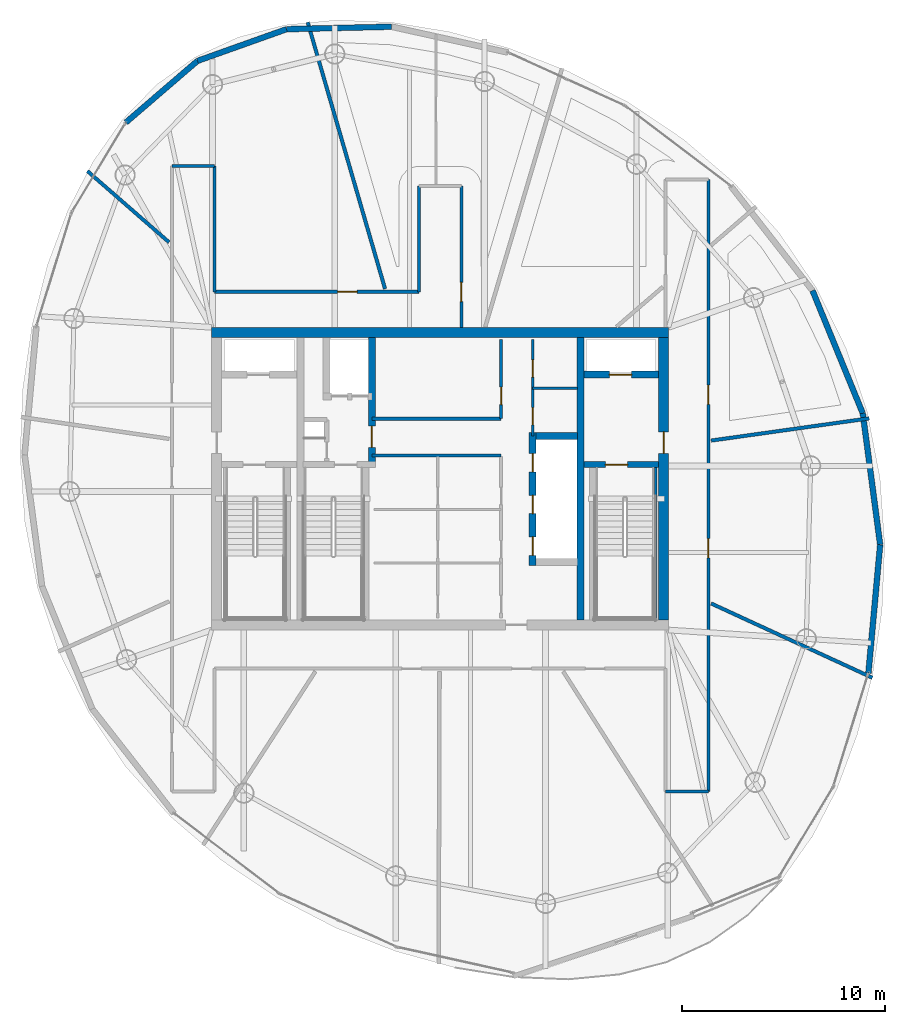
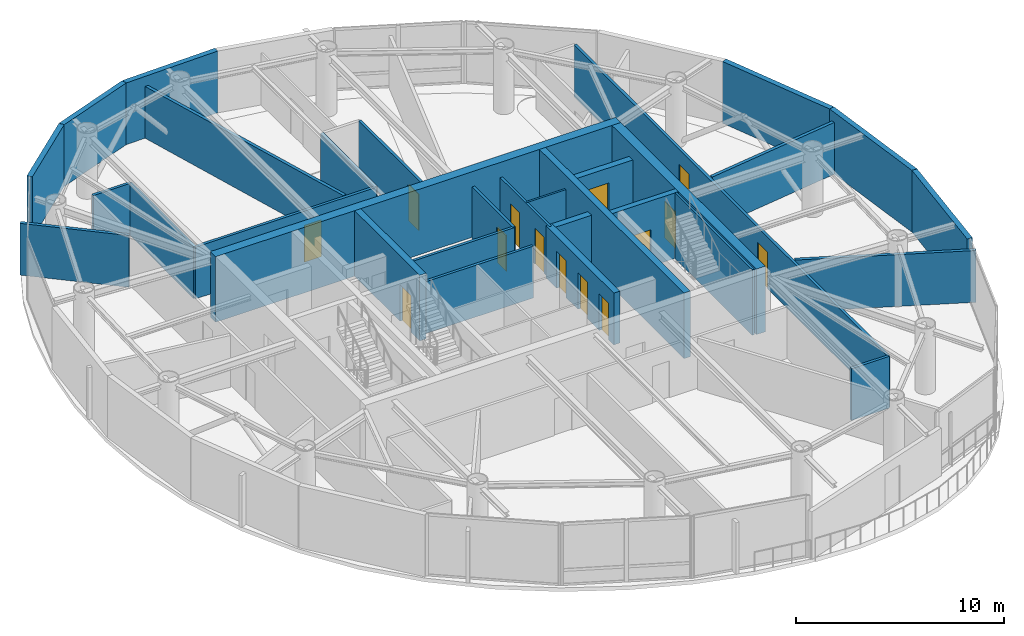
# One storey, part 15 of 19: 31 walls, 14 doors, 14 openings.
"""IFC4 building model written with IfcOpenShell, lengths in metres."""

from ifc_helpers import new_model, si_unit, direction, frame, frame_2d, origin, place, context, subcontext, project, spatial, rectangle, extrude, material, layer, layer_set, type_object, element, fill, save


model = new_model("IFC4")

# Units and contexts
model_context = context("Model", 3, precision=1e-05, world=origin(), true_north=direction((0.0, 1.0)))
body_context = subcontext(model_context, "Body", "Model", "MODEL_VIEW")
ifc_project = project(units=[si_unit("LENGTHUNIT", "METRE"), si_unit("AREAUNIT", "SQUARE_METRE"), si_unit("VOLUMEUNIT", "CUBIC_METRE"), si_unit("PLANEANGLEUNIT", "RADIAN"), si_unit("MASSUNIT", "GRAM", prefix="KILO")], contexts=[model_context])

# Site, building, storey
site_placement = place(None, origin())
site = spatial("IfcSite", under=ifc_project, at=site_placement, CompositionType="ELEMENT")
building_placement = place(site_placement, origin())
building = spatial("IfcBuilding", under=site, at=building_placement, Name="Bramvorn Convention Spire", CompositionType="ELEMENT")
storey_placement = place(building_placement, frame((0.0, 0.0, 272.85009765625)))
storey = spatial("IfcBuildingStorey", under=building, at=storey_placement, Name="L69", CompositionType="ELEMENT", Elevation=272.85009765625)

# Wall
ifc_material_1 = material(Name="Concrete C50/60", Category="concrete")
ifc_layer_1 = layer(ifc_material_1, 0.5)
ifc_layer_set_1 = layer_set([ifc_layer_1], Name="Concrete C50/60 - WL-CORE-500")
wall_type_1 = type_object("IfcWallType", Name="WL-CORE-500", PredefinedType="SHEAR", material=ifc_layer_set_1)
wall_1_placement = place(storey_placement, frame((26.75, 33.199951171875, 0.0), z_axis=(0.0, 0.0, 1.0), x_axis=(1.0, 0.0, 0.0)))
element("IfcWall", 1, at=wall_1_placement, inside=storey, type_object=wall_type_1, Name="L69 North RC core shear wall", PredefinedType="SHEAR", context=body_context, shape_type="SweptSolid", body=[
    extrude(rectangle(XDim=22.5, YDim=0.5, at=frame_2d((11.25, 0.0))), origin(), (0.0, 0.0, 1.0), 3.849853515625),
])

# Wall, opening, door
wall_2_placement = place(storey_placement, frame((49.0, 19.050048828125, 0.0), z_axis=(0.0, 0.0, 1.0), x_axis=(0.0, 1.0, 0.0)))
wall_2 = element("IfcWall", 2, at=wall_2_placement, inside=storey, type_object=wall_type_1, Name="L69 East RC core shear wall", PredefinedType="SHEAR", context=body_context, shape_type="SweptSolid", body=[
    extrude(rectangle(XDim=13.89990234375, YDim=0.5, at=frame_2d((6.949951171875, 0.0))), origin(), (0.0, 0.0, 1.0), 3.849853515625),
])
opening_1_placement = place(wall_2_placement, frame((8.199951171875, 0.0, 0.0)))
opening_1 = element("IfcOpeningElement", 3, at=opening_1_placement, cuts=wall_2, Name="Opening DL-105", PredefinedType="OPENING", context=body_context, shape_type="SweptSolid", body=[
    extrude(rectangle(XDim=1.050048828125, YDim=2.14990234375, at=frame_2d((0.52490234375, 1.074951171875))), frame((0.0, 0.260009765625, 0.0), z_axis=(0.0, -1.0, 0.0), x_axis=(1.0, 0.0, 0.0)), (0.0, 0.0, 1.0), 0.52001953125),
])
ifc_material_2 = material(Name="Smoke-Sealed Fire Lobby Timber-Core Door", Category="wood")
door_type_1 = type_object("IfcDoorType", Name="DR-LOBBY-1050", OperationType="NOTDEFINED", PredefinedType="DOOR", material=ifc_material_2)
door_1_placement = place(opening_1_placement, origin())
door_1 = element("IfcDoor", 4, at=door_1_placement, inside=storey, type_object=door_type_1, Name="L69 East Firefighting Lobby corridor door", OperationType="SINGLE_SWING_LEFT", OverallHeight=2.14990234375, OverallWidth=1.050048828125, PredefinedType="DOOR", context=body_context, shape_type="SweptSolid", body=[
    extrude(rectangle(XDim=1.050048828125, YDim=2.14990234375, at=frame_2d((0.52490234375, 1.074951171875))), frame((0.0, 0.02490234375, 0.0), z_axis=(0.0, -1.0, 0.0), x_axis=(1.0, 0.0, 0.0)), (0.0, 0.0, 1.0), 0.050048828125),
])
fill(opening_1, door_1)

# Wall
ifc_layer_2 = layer(ifc_material_1, 0.35009765625)
ifc_layer_set_2 = layer_set([ifc_layer_2], Name="Concrete C50/60 - WL-CORE-INT-350")
wall_type_2 = type_object("IfcWallType", Name="WL-CORE-INT-350", PredefinedType="SHEAR", material=ifc_layer_set_2)
wall_3_placement = place(storey_placement, frame((44.89990234375, 19.050048828125, 0.0), z_axis=(0.0, 0.0, 1.0), x_axis=(0.0, 1.0, 0.0)))
element("IfcWall", 5, at=wall_3_placement, inside=storey, type_object=wall_type_2, Name="L69 East internal core shear web", PredefinedType="SHEAR", context=body_context, shape_type="SweptSolid", body=[
    extrude(rectangle(XDim=13.89990234375, YDim=0.35009765625, at=frame_2d((6.949951171875, 0.0))), origin(), (0.0, 0.0, 1.0), 3.849853515625),
])

# Wall, opening, door
wall_4_placement = place(storey_placement, frame((45.080078125, 31.1201171875, 0.0), z_axis=(0.0, 0.0, 1.0), x_axis=(1.0, 0.0, 0.0)))
wall_4 = element("IfcWall", 6, at=wall_4_placement, inside=storey, type_object=wall_type_2, Name="L69 FE2 shaft front wall", PredefinedType="SHEAR", context=body_context, shape_type="SweptSolid", body=[
    extrude(rectangle(XDim=3.669921875, YDim=0.35009765625, at=frame_2d((1.8349609375, 0.0))), origin(), (0.0, 0.0, 1.0), 3.039794921875),
])
opening_2_placement = place(wall_4_placement, frame((1.25, 0.0, 0.0)))
opening_2 = element("IfcOpeningElement", 7, at=opening_2_placement, cuts=wall_4, Name="Opening LD-110", PredefinedType="OPENING", context=body_context, shape_type="SweptSolid", body=[
    extrude(rectangle(XDim=1.10009765625, YDim=2.14990234375, at=frame_2d((0.550048828125, 1.074951171875))), frame((0.0, 0.18505859375, 0.0), z_axis=(0.0, -1.0, 0.0), x_axis=(1.0, 0.0, 0.0)), (0.0, 0.0, 1.0), 0.3701171875),
])
ifc_material_3 = material(Name="Firefighting & Service Lift Sliding Landing Door", Category="steel")
door_type_2 = type_object("IfcDoorType", Name="DR-LIFT-LD-1100", OperationType="NOTDEFINED", PredefinedType="DOOR", material=ifc_material_3)
door_2_placement = place(opening_2_placement, origin())
door_2 = element("IfcDoor", 8, at=door_2_placement, inside=storey, type_object=door_type_2, Name="L69 Lift FE2 Sliding Landing Door", OperationType="SLIDING_TO_LEFT", OverallHeight=2.14990234375, OverallWidth=1.10009765625, PredefinedType="DOOR", context=body_context, shape_type="SweptSolid", body=[
    extrude(rectangle(XDim=1.10009765625, YDim=2.14990234375, at=frame_2d((0.550048828125, 1.074951171875))), frame((0.0, 0.02490234375, 0.0), z_axis=(0.0, -1.0, 0.0), x_axis=(1.0, 0.0, 0.0)), (0.0, 0.0, 1.0), 0.050048828125),
])
fill(opening_2, door_2)

wall_5_placement = place(storey_placement, frame((34.639892578125, 26.68994140625, 0.0), z_axis=(0.0, 0.0, 1.0), x_axis=(0.0, 1.0, 0.0)))
wall_5 = element("IfcWall", 9, at=wall_5_placement, inside=storey, type_object=wall_type_2, Name="L69 SV east core shaft wall", PredefinedType="SHEAR", context=body_context, shape_type="SweptSolid", body=[
    extrude(rectangle(XDim=6.260009765625, YDim=0.35009765625, at=frame_2d((3.1298828125, 0.0))), origin(), (0.0, 0.0, 1.0), 3.849853515625),
])
opening_3_placement = place(wall_5_placement, frame((0.85009765625, 0.0, 0.0)))
opening_3 = element("IfcOpeningElement", 10, at=opening_3_placement, cuts=wall_5, Name="Opening DL-105", PredefinedType="OPENING", context=body_context, shape_type="SweptSolid", body=[
    extrude(rectangle(XDim=1.050048828125, YDim=2.14990234375, at=frame_2d((0.52490234375, 1.074951171875))), frame((0.0, 0.18505859375, 0.0), z_axis=(0.0, -1.0, 0.0), x_axis=(1.0, 0.0, 0.0)), (0.0, 0.0, 1.0), 0.3701171875),
])
door_3_placement = place(opening_3_placement, origin())
door_3 = element("IfcDoor", 11, at=door_3_placement, inside=storey, type_object=door_type_1, Name="L69 Core cross-passage door", OperationType="SINGLE_SWING_RIGHT", OverallHeight=2.14990234375, OverallWidth=1.050048828125, PredefinedType="DOOR", context=body_context, shape_type="SweptSolid", body=[
    extrude(rectangle(XDim=1.050048828125, YDim=2.14990234375, at=frame_2d((0.52490234375, 1.074951171875))), frame((0.0, 0.02490234375, 0.0), z_axis=(0.0, -1.0, 0.0), x_axis=(1.0, 0.0, 0.0)), (0.0, 0.0, 1.0), 0.050048828125),
])
fill(opening_3, door_3)

# Wall, openings, doors
wall_6_placement = place(storey_placement, frame((42.550048828125, 21.72998046875, 0.0), z_axis=(0.0, 0.0, 1.0), x_axis=(0.0, 1.0, 0.0)))
wall_6 = element("IfcWall", 12, at=wall_6_placement, inside=storey, type_object=wall_type_2, Name="L69 High-rise lift bank west wall", PredefinedType="SHEAR", context=body_context, shape_type="SweptSolid", body=[
    extrude(rectangle(XDim=6.5400390625, YDim=0.35009765625, at=frame_2d((3.27001953125, 0.0))), origin(), (0.0, 0.0, 1.0), 3.039794921875),
])
opening_4_placement = place(wall_6_placement, frame((0.5, 0.0, 0.0)))
opening_4 = element("IfcOpeningElement", 13, at=opening_4_placement, cuts=wall_6, Name="Opening LD-090", PredefinedType="OPENING", context=body_context, shape_type="SweptSolid", body=[
    extrude(rectangle(XDim=0.89990234375, YDim=2.14990234375, at=frame_2d((0.449951171875, 1.074951171875))), frame((0.0, 0.18505859375, 0.0), z_axis=(0.0, -1.0, 0.0), x_axis=(1.0, 0.0, 0.0)), (0.0, 0.0, 1.0), 0.3701171875),
])
opening_5_placement = place(wall_6_placement, frame((2.550048828125, 0.0, 0.0)))
opening_5 = element("IfcOpeningElement", 14, at=opening_5_placement, cuts=wall_6, Name="Opening LD-090", PredefinedType="OPENING", context=body_context, shape_type="SweptSolid", body=[
    extrude(rectangle(XDim=0.89990234375, YDim=2.14990234375, at=frame_2d((0.449951171875, 1.074951171875))), frame((0.0, 0.18505859375, 0.0), z_axis=(0.0, -1.0, 0.0), x_axis=(1.0, 0.0, 0.0)), (0.0, 0.0, 1.0), 0.3701171875),
])
opening_6_placement = place(wall_6_placement, frame((4.60009765625, 0.0, 0.0)))
opening_6 = element("IfcOpeningElement", 15, at=opening_6_placement, cuts=wall_6, Name="Opening LD-090", PredefinedType="OPENING", context=body_context, shape_type="SweptSolid", body=[
    extrude(rectangle(XDim=0.89990234375, YDim=2.14990234375, at=frame_2d((0.449951171875, 1.074951171875))), frame((0.0, 0.18505859375, 0.0), z_axis=(0.0, -1.0, 0.0), x_axis=(1.0, 0.0, 0.0)), (0.0, 0.0, 1.0), 0.3701171875),
])
ifc_material_4 = material(Name="Bi-Parting Fire-Rated Lift Landing Door", Category="steel")
door_type_3 = type_object("IfcDoorType", Name="DR-LIFT-LD-900", OperationType="NOTDEFINED", PredefinedType="DOOR", material=ifc_material_4)
door_4_placement = place(opening_4_placement, origin())
door_4 = element("IfcDoor", 16, at=door_4_placement, inside=storey, type_object=door_type_3, Name="L69 Lift PH1 Sliding Landing Door", OperationType="SLIDING_TO_LEFT", OverallHeight=2.14990234375, OverallWidth=0.89990234375, PredefinedType="DOOR", context=body_context, shape_type="SweptSolid", body=[
    extrude(rectangle(XDim=0.89990234375, YDim=2.14990234375, at=frame_2d((0.449951171875, 1.074951171875))), frame((0.0, 0.02490234375, 0.0), z_axis=(0.0, -1.0, 0.0), x_axis=(1.0, 0.0, 0.0)), (0.0, 0.0, 1.0), 0.050048828125),
])
fill(opening_4, door_4)
door_5_placement = place(opening_5_placement, origin())
door_5 = element("IfcDoor", 17, at=door_5_placement, inside=storey, type_object=door_type_3, Name="L69 Lift PH2 Sliding Landing Door", OperationType="SLIDING_TO_LEFT", OverallHeight=2.14990234375, OverallWidth=0.89990234375, PredefinedType="DOOR", context=body_context, shape_type="SweptSolid", body=[
    extrude(rectangle(XDim=0.89990234375, YDim=2.14990234375, at=frame_2d((0.449951171875, 1.074951171875))), frame((0.0, 0.02490234375, 0.0), z_axis=(0.0, -1.0, 0.0), x_axis=(1.0, 0.0, 0.0)), (0.0, 0.0, 1.0), 0.050048828125),
])
fill(opening_5, door_5)
door_6_placement = place(opening_6_placement, origin())
door_6 = element("IfcDoor", 18, at=door_6_placement, inside=storey, type_object=door_type_3, Name="L69 Lift PH3 Sliding Landing Door", OperationType="SLIDING_TO_LEFT", OverallHeight=2.14990234375, OverallWidth=0.89990234375, PredefinedType="DOOR", context=body_context, shape_type="SweptSolid", body=[
    extrude(rectangle(XDim=0.89990234375, YDim=2.14990234375, at=frame_2d((0.449951171875, 1.074951171875))), frame((0.0, 0.02490234375, 0.0), z_axis=(0.0, -1.0, 0.0), x_axis=(1.0, 0.0, 0.0)), (0.0, 0.0, 1.0), 0.050048828125),
])
fill(opening_6, door_6)

# Walls
wall_7_placement = place(storey_placement, frame((42.719970703125, 28.10009765625, 0.0), z_axis=(0.0, 0.0, 1.0), x_axis=(1.0, 0.0, 0.0)))
element("IfcWall", 19, at=wall_7_placement, inside=storey, type_object=wall_type_2, Name="L69 High-rise lift bank north wall", PredefinedType="SHEAR", context=body_context, shape_type="SweptSolid", body=[
    extrude(rectangle(XDim=2.030029296875, YDim=0.35009765625, at=frame_2d((1.01513671875, 0.0))), origin(), (0.0, 0.0, 1.0), 3.039794921875),
])
ifc_material_5 = material(Name="Precast Concrete C40/50 with Bronze Terracotta Rainscreen", Category="masonry")
ifc_layer_3 = layer(ifc_material_5, 0.300048828125)
ifc_layer_set_3 = layer_set([ifc_layer_3], Name="Precast Concrete C40/50 with Bronze Terracotta Rainscreen - WL-EXT-BRONZE-300")
wall_type_3 = type_object("IfcWallType", Name="WL-EXT-BRONZE-300", PredefinedType="SOLIDWALL", material=ifc_layer_set_3)
wall_8_placement = place(storey_placement, frame((59.657958984375, 22.748046875, 0.0), z_axis=(0.0, 0.0, 1.0), x_axis=(-0.091149768789, -0.995837195354, 0.0)))
element("IfcWall", 20, at=wall_8_placement, inside=storey, type_object=wall_type_3, Name="L69 expressed bronze Gothic lancet pier wall 04", PredefinedType="SOLIDWALL", context=body_context, shape_type="SweptSolid", body=[
    extrude(rectangle(XDim=6.34521484375, YDim=0.280029296875, at=frame_2d((3.172607421875, 0.0))), origin(), (0.0, 0.0, 1.0), 3.625),
])
wall_9_placement = place(storey_placement, frame((58.801513671875, 29.2177734375, 0.0), z_axis=(0.0, 0.0, 1.0), x_axis=(0.131232508408, -0.991351617105, 0.0)))
element("IfcWall", 21, at=wall_9_placement, inside=storey, type_object=wall_type_3, Name="L69 expressed bronze Gothic lancet pier wall 05", PredefinedType="SOLIDWALL", context=body_context, shape_type="SweptSolid", body=[
    extrude(rectangle(XDim=6.526123046875, YDim=0.280029296875, at=frame_2d((3.26318359375, 0.0))), origin(), (0.0, 0.0, 1.0), 3.625),
])
wall_10_placement = place(storey_placement, frame((56.327880859375, 35.258056640625, 0.0), z_axis=(0.0, 0.0, 1.0), x_axis=(0.378975080953, -0.92540687701, 0.0)))
element("IfcWall", 22, at=wall_10_placement, inside=storey, type_object=wall_type_3, Name="L69 expressed bronze Gothic lancet pier wall 06", PredefinedType="SOLIDWALL", context=body_context, shape_type="SweptSolid", body=[
    extrude(rectangle(XDim=6.527099609375, YDim=0.280029296875, at=frame_2d((3.263671875, 0.0))), origin(), (0.0, 0.0, 1.0), 3.625),
])
wall_11_placement = place(storey_placement, frame((30.43701171875, 48.123291015625, 0.0), z_axis=(0.0, 0.0, 1.0), x_axis=(0.9997244447, 0.023474127656, 0.0)))
element("IfcWall", 23, at=wall_11_placement, inside=storey, type_object=wall_type_3, Name="L69 expressed bronze Gothic lancet pier wall 11", PredefinedType="SOLIDWALL", context=body_context, shape_type="SweptSolid", body=[
    extrude(rectangle(XDim=5.179443359375, YDim=0.280029296875, at=frame_2d((2.58984375, 0.0))), origin(), (0.0, 0.0, 1.0), 3.625),
])
wall_12_placement = place(storey_placement, frame((26.05615234375, 46.56298828125, 0.0), z_axis=(0.0, 0.0, 1.0), x_axis=(0.942033742656, 0.335518148089, 0.0)))
element("IfcWall", 24, at=wall_12_placement, inside=storey, type_object=wall_type_3, Name="L69 expressed bronze Gothic lancet pier wall 12", PredefinedType="SOLIDWALL", context=body_context, shape_type="SweptSolid", body=[
    extrude(rectangle(XDim=4.650390625, YDim=0.280029296875, at=frame_2d((2.3251953125, 0.0))), origin(), (0.0, 0.0, 1.0), 3.625),
])
wall_13_placement = place(storey_placement, frame((22.530029296875, 43.530517578125, 0.0), z_axis=(0.0, 0.0, 1.0), x_axis=(0.758184677276, 0.652039872357, 0.0)))
element("IfcWall", 25, at=wall_13_placement, inside=storey, type_object=wall_type_3, Name="L69 expressed bronze Gothic lancet pier wall 13", PredefinedType="SOLIDWALL", context=body_context, shape_type="SweptSolid", body=[
    extrude(rectangle(XDim=4.650634765625, YDim=0.280029296875, at=frame_2d((2.3251953125, 0.0))), origin(), (0.0, 0.0, 1.0), 3.625),
])
ifc_material_6 = material(Name="Lightweight En-Suite & Wet-Wall Partition", Category="gypsum")
ifc_layer_4 = layer(ifc_material_6, 0.110107421875)
ifc_layer_set_4 = layer_set([ifc_layer_4], Name="Lightweight En-Suite & Wet-Wall Partition - WL-PART-110")
wall_type_4 = type_object("IfcWallType", Name="WL-PART-110", PredefinedType="PARTITIONING", material=ifc_layer_set_4)
wall_14_placement = place(storey_placement, frame((42.550048828125, 30.449951171875, 0.0), z_axis=(0.0, 0.0, 1.0), x_axis=(1.0, 0.0, 0.0)))
element("IfcWall", 26, at=wall_14_placement, inside=storey, type_object=wall_type_4, Name="L69 KB NE divider", PredefinedType="PARTITIONING", context=body_context, shape_type="SweptSolid", body=[
    extrude(rectangle(XDim=2.199951171875, YDim=0.110107421875, at=frame_2d((1.10009765625, 0.0))), origin(), (0.0, 0.0, 1.0), 3.039794921875),
])

# Wall, openings, doors
ifc_material_7 = material(Name="Metal-Stud Demountable Office Partition", Category="gypsum")
ifc_layer_5 = layer(ifc_material_7, 0.1298828125)
ifc_layer_set_5 = layer_set([ifc_layer_5], Name="Metal-Stud Demountable Office Partition - WL-PART-130")
wall_type_5 = type_object("IfcWallType", Name="WL-PART-130", PredefinedType="PARTITIONING", material=ifc_layer_set_5)
wall_15_placement = place(storey_placement, frame((42.550048828125, 28.10009765625, 0.0), z_axis=(0.0, 0.0, 1.0), x_axis=(0.0, 1.0, 0.0)))
wall_15 = element("IfcWall", 27, at=wall_15_placement, inside=storey, type_object=wall_type_5, Name="L69 KB NE split wall", PredefinedType="PARTITIONING", context=body_context, shape_type="SweptSolid", body=[
    extrude(rectangle(XDim=4.75, YDim=0.1298828125, at=frame_2d((2.375, 0.0))), origin(), (0.0, 0.0, 1.0), 3.039794921875),
])
opening_7_placement = place(wall_15_placement, frame((0.550048828125, 0.0, 0.0)))
opening_7 = element("IfcOpeningElement", 28, at=opening_7_placement, cuts=wall_15, Name="Opening DC-085", PredefinedType="OPENING", context=body_context, shape_type="SweptSolid", body=[
    extrude(rectangle(XDim=0.85009765625, YDim=2.10009765625, at=frame_2d((0.425048828125, 1.050048828125))), frame((0.0, 0.074951171875, 0.0), z_axis=(0.0, -1.0, 0.0), x_axis=(1.0, 0.0, 0.0)), (0.0, 0.0, 1.0), 0.14990234375),
])
opening_8_placement = place(wall_15_placement, frame((2.89990234375, 0.0, 0.0)))
opening_8 = element("IfcOpeningElement", 29, at=opening_8_placement, cuts=wall_15, Name="Opening DC-085", PredefinedType="OPENING", context=body_context, shape_type="SweptSolid", body=[
    extrude(rectangle(XDim=0.85009765625, YDim=2.10009765625, at=frame_2d((0.425048828125, 1.050048828125))), frame((0.0, 0.074951171875, 0.0), z_axis=(0.0, -1.0, 0.0), x_axis=(1.0, 0.0, 0.0)), (0.0, 0.0, 1.0), 0.14990234375),
])
ifc_material_8 = material(Name="Fire-Rated Core Washroom & IDF Door", Category="wood")
door_type_4 = type_object("IfcDoorType", Name="DR-CORE-850", OperationType="NOTDEFINED", PredefinedType="DOOR", material=ifc_material_8)
door_7_placement = place(opening_7_placement, origin())
door_7 = element("IfcDoor", 30, at=door_7_placement, inside=storey, type_object=door_type_4, Name="L69 Core Staff WC door", OperationType="SINGLE_SWING_LEFT", OverallHeight=2.10009765625, OverallWidth=0.85009765625, PredefinedType="DOOR", context=body_context, shape_type="SweptSolid", body=[
    extrude(rectangle(XDim=0.85009765625, YDim=2.10009765625, at=frame_2d((0.425048828125, 1.050048828125))), frame((0.0, 0.02490234375, 0.0), z_axis=(0.0, -1.0, 0.0), x_axis=(1.0, 0.0, 0.0)), (0.0, 0.0, 1.0), 0.050048828125),
])
fill(opening_7, door_7)
door_8_placement = place(opening_8_placement, origin())
door_8 = element("IfcDoor", 31, at=door_8_placement, inside=storey, type_object=door_type_4, Name="L69 Core Data Closet door", OperationType="SINGLE_SWING_LEFT", OverallHeight=2.10009765625, OverallWidth=0.85009765625, PredefinedType="DOOR", context=body_context, shape_type="SweptSolid", body=[
    extrude(rectangle(XDim=0.85009765625, YDim=2.10009765625, at=frame_2d((0.425048828125, 1.050048828125))), frame((0.0, 0.02490234375, 0.0), z_axis=(0.0, -1.0, 0.0), x_axis=(1.0, 0.0, 0.0)), (0.0, 0.0, 1.0), 0.050048828125),
])
fill(opening_8, door_8)

# Walls
ifc_material_9 = material(Name="Acoustic Metal-Stud Tenant/Corridor Partition", Category="gypsum")
ifc_layer_6 = layer(ifc_material_9, 0.14990234375)
ifc_layer_set_6 = layer_set([ifc_layer_6], Name="Acoustic Metal-Stud Tenant/Corridor Partition - WL-PART-150")
wall_type_6 = type_object("IfcWallType", Name="WL-PART-150", PredefinedType="PARTITIONING", material=ifc_layer_set_6)
for number, where, z_axis, x_axis, name in (
    (32, (34.639892578125, 27.14990234375, 0.0), (0.0, 0.0, 1.0), (1.0, 0.0, 0.0), "L69 Cross-core passage south wall"),
    (33, (34.639892578125, 28.949951171875, 0.0), (0.0, 0.0, 1.0), (1.0, 0.0, 0.0), "L69 Cross-core passage north wall"),
):
    element("IfcWall", number, at=place(storey_placement, frame(where, z_axis=z_axis, x_axis=x_axis)), inside=storey, type_object=wall_type_6, Name=name, PredefinedType="PARTITIONING", context=body_context, shape_type="SweptSolid", body=[
        extrude(rectangle(XDim=6.360107421875, YDim=0.14990234375, at=frame_2d((3.18017578125, 0.0))), origin(), (0.0, 0.0, 1.0), 3.039794921875),
    ])

# Wall, opening, door
wall_16_placement = place(storey_placement, frame((41.0, 28.949951171875, 0.0), z_axis=(0.0, 0.0, 1.0), x_axis=(0.0, 1.0, 0.0)))
wall_16 = element("IfcWall", 34, at=wall_16_placement, inside=storey, type_object=wall_type_6, Name="L69 Freed north shaft room wall", PredefinedType="PARTITIONING", context=body_context, shape_type="SweptSolid", body=[
    extrude(rectangle(XDim=3.900146484375, YDim=0.14990234375, at=frame_2d((1.9501953125, 0.0))), origin(), (0.0, 0.0, 1.0), 3.039794921875),
])
opening_9_placement = place(wall_16_placement, frame((0.699951171875, 0.0, 0.0)))
opening_9 = element("IfcOpeningElement", 35, at=opening_9_placement, cuts=wall_16, Name="Opening DC-085", PredefinedType="OPENING", context=body_context, shape_type="SweptSolid", body=[
    extrude(rectangle(XDim=0.85009765625, YDim=2.10009765625, at=frame_2d((0.425048828125, 1.050048828125))), frame((0.0, 0.0849609375, 0.0), z_axis=(0.0, -1.0, 0.0), x_axis=(1.0, 0.0, 0.0)), (0.0, 0.0, 1.0), 0.169921875),
])
door_9_placement = place(opening_9_placement, origin())
door_9 = element("IfcDoor", 36, at=door_9_placement, inside=storey, type_object=door_type_4, Name="L69 North core archive door", OperationType="SINGLE_SWING_LEFT", OverallHeight=2.10009765625, OverallWidth=0.85009765625, PredefinedType="DOOR", context=body_context, shape_type="SweptSolid", body=[
    extrude(rectangle(XDim=0.85009765625, YDim=2.10009765625, at=frame_2d((0.425048828125, 1.050048828125))), frame((0.0, 0.02490234375, 0.0), z_axis=(0.0, -1.0, 0.0), x_axis=(1.0, 0.0, 0.0)), (0.0, 0.0, 1.0), 0.050048828125),
])
fill(opening_9, door_9)

wall_17_placement = place(storey_placement, frame((26.89990234375, 35.199951171875, 0.0), z_axis=(0.0, 0.0, 1.0), x_axis=(1.0, 0.0, 0.0)))
wall_17 = element("IfcWall", 37, at=wall_17_placement, inside=storey, type_object=wall_type_6, Name="L69 North-west spur link wall", PredefinedType="PARTITIONING", context=body_context, shape_type="SweptSolid", body=[
    extrude(rectangle(XDim=10.050048828125, YDim=0.14990234375, at=frame_2d((5.02490234375, 0.0))), origin(), (0.0, 0.0, 1.0), 3.039794921875),
])
opening_10_placement = place(wall_17_placement, frame((6.059814453125, 0.0, 0.0)))
opening_10 = element("IfcOpeningElement", 38, at=opening_10_placement, cuts=wall_17, Name="Opening DH-095", PredefinedType="OPENING", context=body_context, shape_type="SweptSolid", body=[
    extrude(rectangle(XDim=0.949951171875, YDim=2.14990234375, at=frame_2d((0.47509765625, 1.074951171875))), frame((0.0, 0.0849609375, 0.0), z_axis=(0.0, -1.0, 0.0), x_axis=(1.0, 0.0, 0.0)), (0.0, 0.0, 1.0), 0.169921875),
])
ifc_material_10 = material(Name="Solid-Core Acoustic Guestroom Entry Door", Category="wood")
door_type_5 = type_object("IfcDoorType", Name="DR-HOTEL-950", OperationType="NOTDEFINED", PredefinedType="DOOR", material=ifc_material_10)
door_10_placement = place(opening_10_placement, origin())
door_10 = element("IfcDoor", 39, at=door_10_placement, inside=storey, type_object=door_type_5, Name="L69 Partner Private Office 1 4 door", OperationType="SINGLE_SWING_LEFT", OverallHeight=2.14990234375, OverallWidth=0.949951171875, PredefinedType="DOOR", context=body_context, shape_type="SweptSolid", body=[
    extrude(rectangle(XDim=0.949951171875, YDim=2.14990234375, at=frame_2d((0.47509765625, 1.074951171875))), frame((0.0, 0.02490234375, 0.0), z_axis=(0.0, -1.0, 0.0), x_axis=(1.0, 0.0, 0.0)), (0.0, 0.0, 1.0), 0.050048828125),
])
fill(opening_10, door_10)

# Walls
wall_18_placement = place(storey_placement, frame((26.89990234375, 35.199951171875, 0.0), z_axis=(0.0, 0.0, 1.0), x_axis=(0.0, 1.0, 0.0)))
element("IfcWall", 40, at=wall_18_placement, inside=storey, type_object=wall_type_6, Name="L69 West gallery NE wall", PredefinedType="PARTITIONING", context=body_context, shape_type="SweptSolid", body=[
    extrude(rectangle(XDim=6.199951171875, YDim=0.14990234375, at=frame_2d((3.10009765625, 0.0))), origin(), (0.0, 0.0, 1.0), 3.039794921875),
])
wall_19_placement = place(storey_placement, frame((24.800048828125, 41.39990234375, 0.0), z_axis=(0.0, 0.0, 1.0), x_axis=(1.0, 0.0, 0.0)))
element("IfcWall", 41, at=wall_19_placement, inside=storey, type_object=wall_type_6, Name="L69 West gallery north end", PredefinedType="PARTITIONING", context=body_context, shape_type="SweptSolid", body=[
    extrude(rectangle(XDim=2.099853515625, YDim=0.14990234375, at=frame_2d((1.0498046875, 0.0))), origin(), (0.0, 0.0, 1.0), 3.039794921875),
])

# Wall, openings, doors
wall_20_placement = place(storey_placement, frame((51.199951171875, 10.60009765625, 0.0), z_axis=(0.0, 0.0, 1.0), x_axis=(0.0, 1.0, 0.0)))
wall_20 = element("IfcWall", 42, at=wall_20_placement, inside=storey, type_object=wall_type_6, Name="L69 East N-S gallery outer wall", PredefinedType="PARTITIONING", context=body_context, shape_type="SweptSolid", body=[
    extrude(rectangle(XDim=30.125732421875, YDim=0.14990234375, at=frame_2d((15.06298828125, 0.0))), origin(), (0.0, 0.0, 1.0), 3.039794921875),
])
opening_11_placement = place(wall_20_placement, frame((19.053466796875, 0.0, 0.0)))
opening_11 = element("IfcOpeningElement", 43, at=opening_11_placement, cuts=wall_20, Name="Opening DH-095", PredefinedType="OPENING", context=body_context, shape_type="SweptSolid", body=[
    extrude(rectangle(XDim=0.949951171875, YDim=2.14990234375, at=frame_2d((0.47509765625, 1.074951171875))), frame((0.0, 0.0849609375, 0.0), z_axis=(0.0, -1.0, 0.0), x_axis=(1.0, 0.0, 0.0)), (0.0, 0.0, 1.0), 0.169921875),
])
opening_12_placement = place(wall_20_placement, frame((11.503662109375, 0.0, 0.0)))
opening_12 = element("IfcOpeningElement", 44, at=opening_12_placement, cuts=wall_20, Name="Opening DH-095", PredefinedType="OPENING", context=body_context, shape_type="SweptSolid", body=[
    extrude(rectangle(XDim=0.949951171875, YDim=2.14990234375, at=frame_2d((0.47509765625, 1.074951171875))), frame((0.0, 0.0849609375, 0.0), z_axis=(0.0, -1.0, 0.0), x_axis=(1.0, 0.0, 0.0)), (0.0, 0.0, 1.0), 0.169921875),
])
door_11_placement = place(opening_11_placement, origin())
door_11 = element("IfcDoor", 45, at=door_11_placement, inside=storey, type_object=door_type_5, Name="L69 Archive & Document Store 1 1 door", OperationType="SINGLE_SWING_RIGHT", OverallHeight=2.14990234375, OverallWidth=0.949951171875, PredefinedType="DOOR", context=body_context, shape_type="SweptSolid", body=[
    extrude(rectangle(XDim=0.949951171875, YDim=2.14990234375, at=frame_2d((0.47509765625, 1.074951171875))), frame((0.0, 0.02490234375, 0.0), z_axis=(0.0, -1.0, 0.0), x_axis=(1.0, 0.0, 0.0)), (0.0, 0.0, 1.0), 0.050048828125),
])
fill(opening_11, door_11)
door_12_placement = place(opening_12_placement, origin())
door_12 = element("IfcDoor", 46, at=door_12_placement, inside=storey, type_object=door_type_5, Name="L69 Archive & Document Store 1 11 door", OperationType="SINGLE_SWING_RIGHT", OverallHeight=2.14990234375, OverallWidth=0.949951171875, PredefinedType="DOOR", context=body_context, shape_type="SweptSolid", body=[
    extrude(rectangle(XDim=0.949951171875, YDim=2.14990234375, at=frame_2d((0.47509765625, 1.074951171875))), frame((0.0, 0.02490234375, 0.0), z_axis=(0.0, -1.0, 0.0), x_axis=(1.0, 0.0, 0.0)), (0.0, 0.0, 1.0), 0.050048828125),
])
fill(opening_12, door_12)

# Walls
wall_21_placement = place(storey_placement, frame((49.10009765625, 10.60009765625, 0.0), z_axis=(0.0, 0.0, 1.0), x_axis=(1.0, 0.0, 0.0)))
element("IfcWall", 47, at=wall_21_placement, inside=storey, type_object=wall_type_6, Name="L69 East gallery south end", PredefinedType="PARTITIONING", context=body_context, shape_type="SweptSolid", body=[
    extrude(rectangle(XDim=2.099853515625, YDim=0.14990234375, at=frame_2d((1.0498046875, 0.0))), origin(), (0.0, 0.0, 1.0), 3.039794921875),
])
wall_22_placement = place(storey_placement, frame((36.949951171875, 35.199951171875, 0.0), z_axis=(0.0, 0.0, 1.0), x_axis=(0.0, 1.0, 0.0)))
element("IfcWall", 48, at=wall_22_placement, inside=storey, type_object=wall_type_6, Name="L69 North spur west wall", PredefinedType="PARTITIONING", context=body_context, shape_type="SweptSolid", body=[
    extrude(rectangle(XDim=5.199951171875, YDim=0.14990234375, at=frame_2d((2.60009765625, 0.0))), origin(), (0.0, 0.0, 1.0), 3.039794921875),
])

# Wall, opening, door
wall_23_placement = place(storey_placement, frame((39.050048828125, 33.449951171875, 0.0), z_axis=(0.0, 0.0, 1.0), x_axis=(0.0, 1.0, 0.0)))
wall_23 = element("IfcWall", 49, at=wall_23_placement, inside=storey, type_object=wall_type_6, Name="L69 North spur east wall", PredefinedType="PARTITIONING", context=body_context, shape_type="SweptSolid", body=[
    extrude(rectangle(XDim=6.949951171875, YDim=0.14990234375, at=frame_2d((3.47509765625, 0.0))), origin(), (0.0, 0.0, 1.0), 3.039794921875),
])
opening_13_placement = place(wall_23_placement, frame((1.262451171875, 0.0, 0.0)))
opening_13 = element("IfcOpeningElement", 50, at=opening_13_placement, cuts=wall_23, Name="Opening DH-095", PredefinedType="OPENING", context=body_context, shape_type="SweptSolid", body=[
    extrude(rectangle(XDim=0.949951171875, YDim=2.14990234375, at=frame_2d((0.47509765625, 1.074951171875))), frame((0.0, 0.0849609375, 0.0), z_axis=(0.0, -1.0, 0.0), x_axis=(1.0, 0.0, 0.0)), (0.0, 0.0, 1.0), 0.169921875),
])
door_13_placement = place(opening_13_placement, origin())
door_13 = element("IfcDoor", 51, at=door_13_placement, inside=storey, type_object=door_type_5, Name="L69 Archive & Print Store 3 3 door", OperationType="SINGLE_SWING_LEFT", OverallHeight=2.14990234375, OverallWidth=0.949951171875, PredefinedType="DOOR", context=body_context, shape_type="SweptSolid", body=[
    extrude(rectangle(XDim=0.949951171875, YDim=2.14990234375, at=frame_2d((0.47509765625, 1.074951171875))), frame((0.0, 0.02490234375, 0.0), z_axis=(0.0, -1.0, 0.0), x_axis=(1.0, 0.0, 0.0)), (0.0, 0.0, 1.0), 0.050048828125),
])
fill(opening_13, door_13)

# Walls
ifc_material_11 = material(Name="Double-Stud Acoustic Hotel/Suite Partition", Category="gypsum")
ifc_layer_7 = layer(ifc_material_11, 0.175048828125)
ifc_layer_set_7 = layer_set([ifc_layer_7], Name="Double-Stud Acoustic Hotel/Suite Partition - WL-PART-175")
wall_type_7 = type_object("IfcWallType", Name="WL-PART-175", PredefinedType="PARTITIONING", material=ifc_layer_set_7)
wall_24_placement = place(storey_placement, frame((51.340087890625, 27.874755859375, 0.0), z_axis=(0.0, 0.0, 1.0), x_axis=(0.990265214777, 0.139193406464, 0.0)))
element("IfcWall", 52, at=wall_24_placement, inside=storey, type_object=wall_type_7, Name="L69 Tenant suite partition 1", PredefinedType="PARTITIONING", context=body_context, shape_type="SweptSolid", body=[
    extrude(rectangle(XDim=7.85595703125, YDim=0.175048828125, at=frame_2d((3.927978515625, 0.0))), origin(), (0.0, 0.0, 1.0), 3.039794921875),
])
wall_25_placement = place(storey_placement, frame((35.289794921875, 35.340087890625, 0.0), z_axis=(0.0, 0.0, 1.0), x_axis=(-0.278700213972, 0.960378149862, 0.0)))
element("IfcWall", 53, at=wall_25_placement, inside=storey, type_object=wall_type_7, Name="L69 Tenant suite partition 4", PredefinedType="PARTITIONING", context=body_context, shape_type="SweptSolid", body=[
    extrude(rectangle(XDim=13.6708984375, YDim=0.175048828125, at=frame_2d((6.83544921875, 0.0))), origin(), (0.0, 0.0, 1.0), 3.039794921875),
])
wall_26_placement = place(storey_placement, frame((24.659912109375, 37.633544921875, 0.0), z_axis=(0.0, 0.0, 1.0), x_axis=(-0.753664051115, 0.657259840594, 0.0)))
element("IfcWall", 54, at=wall_26_placement, inside=storey, type_object=wall_type_7, Name="L69 Tenant suite partition 5", PredefinedType="PARTITIONING", context=body_context, shape_type="SweptSolid", body=[
    extrude(rectangle(XDim=5.3359375, YDim=0.175048828125, at=frame_2d((2.66796875, 0.0))), origin(), (0.0, 0.0, 1.0), 3.039794921875),
])
wall_27_placement = place(storey_placement, frame((51.340087890625, 19.856689453125, 0.0), z_axis=(0.0, 0.0, 1.0), x_axis=(0.90829671746, -0.41832651488, 0.0)))
element("IfcWall", 55, at=wall_27_placement, inside=storey, type_object=wall_type_7, Name="L69 Tenant suite partition 11", PredefinedType="PARTITIONING", context=body_context, shape_type="SweptSolid", body=[
    extrude(rectangle(XDim=8.74072265625, YDim=0.175048828125, at=frame_2d((4.370361328125, 0.0))), origin(), (0.0, 0.0, 1.0), 3.039794921875),
])

# Wall, opening, door
ifc_layer_8 = layer(ifc_material_1, 0.300048828125)
ifc_layer_set_8 = layer_set([ifc_layer_8], Name="Concrete C50/60 - WL-POD-STAIR-300")
wall_type_8 = type_object("IfcWallType", Name="WL-POD-STAIR-300", PredefinedType="SHEAR", material=ifc_layer_set_8)
wall_28_placement = place(storey_placement, frame((45.080078125, 26.68994140625, 0.0), z_axis=(0.0, 0.0, 1.0), x_axis=(1.0, 0.0, 0.0)))
wall_28 = element("IfcWall", 56, at=wall_28_placement, inside=storey, type_object=wall_type_8, Name="L69 ST2 north fire wall", PredefinedType="SHEAR", context=body_context, shape_type="SweptSolid", body=[
    extrude(rectangle(XDim=3.669921875, YDim=0.300048828125, at=frame_2d((1.8349609375, 0.0))), origin(), (0.0, 0.0, 1.0), 3.849853515625),
])
opening_14_placement = place(wall_28_placement, frame((1.050048828125, 0.0, 0.0)))
opening_14 = element("IfcOpeningElement", 57, at=opening_14_placement, cuts=wall_28, Name="Opening DS-110", PredefinedType="OPENING", context=body_context, shape_type="SweptSolid", body=[
    extrude(rectangle(XDim=1.10009765625, YDim=2.14990234375, at=frame_2d((0.550048828125, 1.074951171875))), frame((0.0, 0.159912109375, 0.0), z_axis=(0.0, -1.0, 0.0), x_axis=(1.0, 0.0, 0.0)), (0.0, 0.0, 1.0), 0.320068359375),
])
ifc_material_12 = material(Name="Fire-Rated Hollow Steel Stairwell Door", Category="steel")
door_type_6 = type_object("IfcDoorType", Name="DR-STAIR-1100", OperationType="NOTDEFINED", PredefinedType="DOOR", material=ifc_material_12)
door_14_placement = place(opening_14_placement, origin())
door_14 = element("IfcDoor", 58, at=door_14_placement, inside=storey, type_object=door_type_6, Name="L69 Stair ST2 fire door", OperationType="SINGLE_SWING_RIGHT", OverallHeight=2.14990234375, OverallWidth=1.10009765625, PredefinedType="DOOR", context=body_context, shape_type="SweptSolid", body=[
    extrude(rectangle(XDim=1.10009765625, YDim=2.14990234375, at=frame_2d((0.550048828125, 1.074951171875))), frame((0.0, 0.02490234375, 0.0), z_axis=(0.0, -1.0, 0.0), x_axis=(1.0, 0.0, 0.0)), (0.0, 0.0, 1.0), 0.050048828125),
])
fill(opening_14, door_14)

# Wall
ifc_layer_9 = layer(ifc_material_1, 0.1201171875)
ifc_layer_set_9 = layer_set([ifc_layer_9], Name="Concrete C50/60 - WL-STAIR-RC-120")
wall_type_9 = type_object("IfcWallType", Name="WL-STAIR-RC-120", PredefinedType="SHEAR", material=ifc_layer_set_9)
wall_29_placement = place(storey_placement, frame((48.60498046875, 19.10009765625, 0.0), z_axis=(0.0, 0.0, 1.0), x_axis=(0.0, 1.0, 0.0)))
element("IfcWall", 59, at=wall_29_placement, inside=storey, type_object=wall_type_9, Name="L69 ST2 east bearing shear wall", PredefinedType="SHEAR", context=body_context, shape_type="SweptSolid", body=[
    extrude(rectangle(XDim=7.449951171875, YDim=0.1201171875, at=frame_2d((3.72509765625, 0.0))), origin(), (0.0, 0.0, 1.0), 3.849853515625),
])

save(model, "model.ifc")
